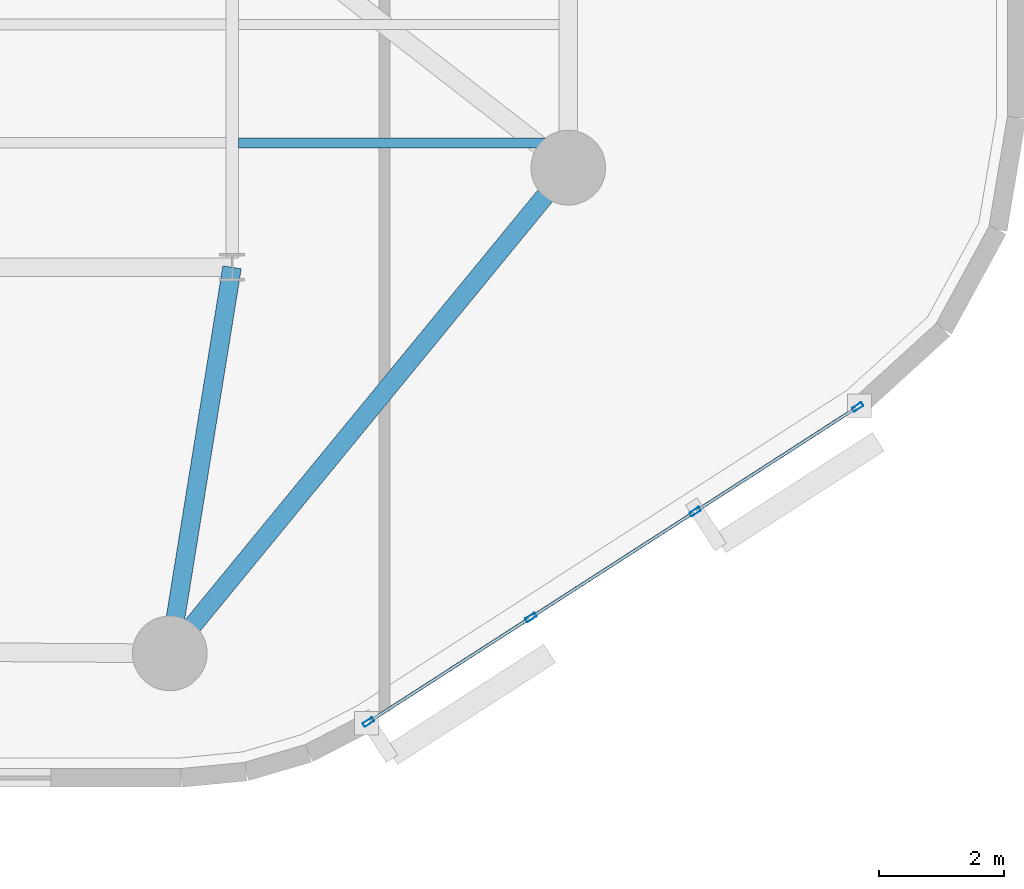
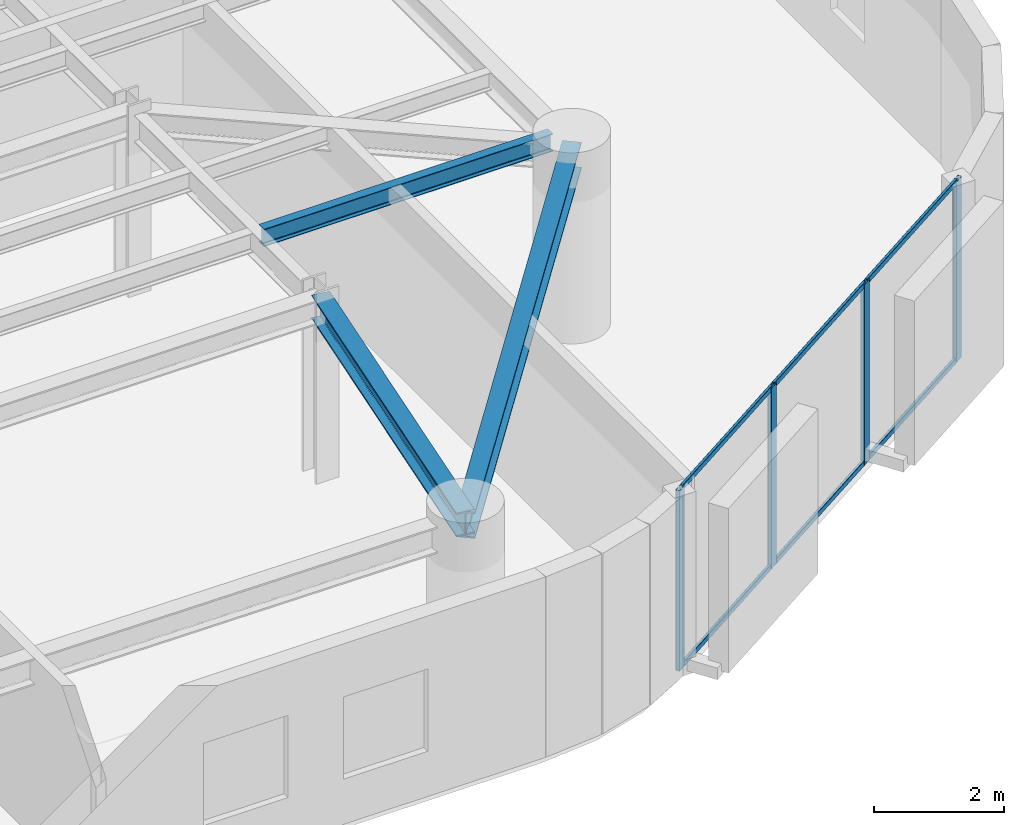
# One storey, part 2 of 12: 10 members, 3 beams, 1 element without a shape of its own.
"""IFC4 building model written with IfcOpenShell, lengths in metres."""

from ifc_helpers import new_model, si_unit, direction, frame, origin, origin_2d, place, context, subcontext, project, spatial, hollow_rectangle, i_section, extrude, material, layer, layer_set, material_profile, profile_set, type_object, element, aggregate, save


model = new_model("IFC4")

# Units and contexts
model_context = context("Model", 3, precision=1e-05, world=origin(), true_north=direction((0.0, 1.0)))
body_context = subcontext(model_context, "Body", "Model", "MODEL_VIEW")
ifc_project = project(units=[si_unit("LENGTHUNIT", "METRE"), si_unit("AREAUNIT", "SQUARE_METRE"), si_unit("VOLUMEUNIT", "CUBIC_METRE"), si_unit("PLANEANGLEUNIT", "RADIAN"), si_unit("MASSUNIT", "GRAM", prefix="KILO")], contexts=[model_context])

# Site, building, storey
site_placement = place(None, origin())
site = spatial("IfcSite", under=ifc_project, at=site_placement, CompositionType="ELEMENT")
building_placement = place(site_placement, origin())
building = spatial("IfcBuilding", under=site, at=building_placement, Name="An Khanh Terracotta Commons", CompositionType="ELEMENT")
storey_placement = place(building_placement, frame((0.0, 0.0, 161.800048828125)))
storey = spatial("IfcBuildingStorey", under=building, at=storey_placement, Name="L42", CompositionType="ELEMENT", Elevation=161.800048828125)

# Beams
ifc_material_1 = material(Name="Steel S355J2", Category="steel")
ifc_material_profile_1 = material_profile(ifc_material_1, i_section(OverallWidth=0.300048828125, OverallDepth=0.449951171875, WebThickness=0.013916015625, FlangeThickness=0.02587890625, FilletRadius=0.027099609375, at=origin_2d()), Name="HEB450")
ifc_profile_set_1 = profile_set([ifc_material_profile_1], Name="Steel S355J2")
beam_type_1 = type_object("IfcBeamType", Name="BM-HEB450", PredefinedType="BEAM", material=ifc_profile_set_1)
beam_1_placement = place(storey_placement, frame((49.39990234375, 8.199951171875, 3.175048828125), z_axis=(0.159233661074, 0.987240923575, 0.0), x_axis=(-0.987240923575, 0.159233661074, 0.0)))
element("IfcBeam", 1, at=beam_1_placement, inside=storey, type_object=beam_type_1, Name="L42 Mega-Column Tie Girder 2", PredefinedType="BEAM", context=body_context, shape_type="SweptSolid", body=[
    extrude(i_section(OverallWidth=0.300048828125, OverallDepth=0.449951171875, WebThickness=0.013916015625, FlangeThickness=0.02587890625, FilletRadius=0.027099609375, at=origin_2d()), origin(), (0.0, 0.0, 1.0), 6.280029296875),
])
ifc_material_profile_2 = material_profile(ifc_material_1, i_section(OverallWidth=0.300048828125, OverallDepth=0.5, WebThickness=0.014404296875, FlangeThickness=0.028076171875, FilletRadius=0.027099609375, at=origin_2d()), Name="HEB500")
ifc_profile_set_2 = profile_set([ifc_material_profile_2], Name="Steel S355J2")
beam_type_2 = type_object("IfcBeamType", Name="BM-HEB500", PredefinedType="BEAM", material=ifc_profile_set_2)
beam_2_placement = place(storey_placement, frame((49.39990234375, 8.199951171875, 3.14990234375), z_axis=(0.634322915223, 0.7730681983, 0.0), x_axis=(-0.7730681983, 0.634322915223, 0.0)))
element("IfcBeam", 2, at=beam_2_placement, inside=storey, type_object=beam_type_2, Name="L42 Perimeter Ring Spandrel 2", PredefinedType="BEAM", context=body_context, shape_type="SweptSolid", body=[
    extrude(i_section(OverallWidth=0.300048828125, OverallDepth=0.5, WebThickness=0.014404296875, FlangeThickness=0.028076171875, FilletRadius=0.027099609375, at=origin_2d()), origin(), (0.0, 0.0, 1.0), 10.08984375),
])
ifc_material_profile_3 = material_profile(ifc_material_1, i_section(OverallWidth=0.159912109375, OverallDepth=0.330078125, WebThickness=0.007568359375, FlangeThickness=0.011474609375, FilletRadius=0.01806640625, at=origin_2d()), Name="IPE330")
ifc_profile_set_3 = profile_set([ifc_material_profile_3], Name="Steel S355J2")
beam_type_3 = type_object("IfcBeamType", Name="BM-IPE330", PredefinedType="JOIST", material=ifc_profile_set_3)
beam_3_placement = place(storey_placement, frame((50.5, 16.39990234375, 3.23486328125), z_axis=(1.0, 0.0, 0.0), x_axis=(0.0, 1.0, 0.0)))
element("IfcBeam", 3, at=beam_3_placement, inside=storey, type_object=beam_type_3, Name="L42 Riverfront Composite Joist 1", PredefinedType="JOIST", context=body_context, shape_type="SweptSolid", body=[
    extrude(i_section(OverallWidth=0.159912109375, OverallDepth=0.330078125, WebThickness=0.007568359375, FlangeThickness=0.011474609375, FilletRadius=0.01806640625, at=origin_2d()), origin(), (0.0, 0.0, 1.0), 5.14990234375),
])

# Curtain wall, members
ifc_material_2 = material(Name="Anodised Aluminium 6063-T6", Category="aluminium")
ifc_layer = layer(ifc_material_2, 0.2099609375, Name="Anodised Aluminium 6063-T6")
ifc_layer_set = layer_set([ifc_layer], Name="Anodised Aluminium 6063-T6")
curtain_wall_type = type_object("IfcCurtainWallType", Name="CW-SYS-03", PredefinedType="USERDEFINED", material=ifc_layer_set)
curtain_wall_placement = place(storey_placement, origin())
curtain_wall = element("IfcCurtainWall", 4, at=curtain_wall_placement, inside=storey, type_object=curtain_wall_type, Name="L42 CW-03 Unitised Curtain Wall CW-L42-08", ObjectType="UNITISED CURTAIN WALL", PredefinedType="USERDEFINED")
ifc_material_profile_4 = material_profile(ifc_material_2, hollow_rectangle(XDim=0.070068359375, YDim=0.179931640625, WallThickness=0.00390625, InnerFilletRadius=0.00390625, OuterFilletRadius=0.008056640625, at=origin_2d()), Name="RHS180x70x4")
ifc_profile_set_4 = profile_set([ifc_material_profile_4], Name="Anodised Aluminium 6063-T6")
member_type_1 = type_object("IfcMemberType", Name="CWM-RHS180x70x4", PredefinedType="MULLION", material=ifc_profile_set_4)
member_1_placement = place(storey_placement, frame((52.58935546875, 7.094970703125, 0.0), z_axis=(0.0, 0.0, 1.0), x_axis=(-0.541497931062, 0.840702081986, 0.0)))
member_1 = element("IfcMember", 5, at=member_1_placement, type_object=member_type_1, Name="CW-03 mullion 1", PredefinedType="MULLION", context=body_context, shape_type="SweptSolid", body=[
    extrude(hollow_rectangle(XDim=0.070068359375, YDim=0.179931640625, WallThickness=0.00390625, InnerFilletRadius=0.00390625, OuterFilletRadius=0.008056640625, at=origin_2d()), origin(), (0.0, 0.0, 1.0), 3.39990234375),
])
member_2_placement = place(storey_placement, frame((55.19921875, 8.77587890625, 0.0), z_axis=(0.0, 0.0, 1.0), x_axis=(-0.541497931062, 0.840702081986, 0.0)))
member_2 = element("IfcMember", 6, at=member_2_placement, type_object=member_type_1, Name="CW-03 mullion 2", PredefinedType="MULLION", context=body_context, shape_type="SweptSolid", body=[
    extrude(hollow_rectangle(XDim=0.070068359375, YDim=0.179931640625, WallThickness=0.00390625, InnerFilletRadius=0.00390625, OuterFilletRadius=0.008056640625, at=origin_2d()), origin(), (0.0, 0.0, 1.0), 3.39990234375),
])
member_3_placement = place(storey_placement, frame((57.838623046875, 10.47607421875, 0.0), z_axis=(0.0, 0.0, 1.0), x_axis=(-0.541497931062, 0.840702081986, 0.0)))
member_3 = element("IfcMember", 7, at=member_3_placement, type_object=member_type_1, Name="CW-03 mullion 3", PredefinedType="MULLION", context=body_context, shape_type="SweptSolid", body=[
    extrude(hollow_rectangle(XDim=0.070068359375, YDim=0.179931640625, WallThickness=0.00390625, InnerFilletRadius=0.00390625, OuterFilletRadius=0.008056640625, at=origin_2d()), origin(), (0.0, 0.0, 1.0), 3.39990234375),
])
member_4_placement = place(storey_placement, frame((60.448486328125, 12.156982421875, 0.0), z_axis=(0.0, 0.0, 1.0), x_axis=(-0.541497931062, 0.840702081986, 0.0)))
member_4 = element("IfcMember", 8, at=member_4_placement, type_object=member_type_1, Name="CW-03 mullion 4", PredefinedType="MULLION", context=body_context, shape_type="SweptSolid", body=[
    extrude(hollow_rectangle(XDim=0.070068359375, YDim=0.179931640625, WallThickness=0.00390625, InnerFilletRadius=0.00390625, OuterFilletRadius=0.008056640625, at=origin_2d()), origin(), (0.0, 0.0, 1.0), 3.39990234375),
])
ifc_material_profile_5 = material_profile(ifc_material_2, hollow_rectangle(XDim=0.050048828125, YDim=0.10009765625, WallThickness=0.003173828125, InnerFilletRadius=0.003173828125, OuterFilletRadius=0.00634765625, at=origin_2d()), Name="RHS100x50x3.2")
ifc_profile_set_5 = profile_set([ifc_material_profile_5], Name="Anodised Aluminium 6063-T6")
member_type_2 = type_object("IfcMemberType", Name="CWT-RHS100x50x3.2", PredefinedType="USERDEFINED", material=ifc_profile_set_5)
member_5_placement = place(storey_placement, frame((52.618896484375, 7.114013671875, 0.02490234375), z_axis=(0.840710223453, 0.541485290826, 0.0), x_axis=(-0.541485290826, 0.840710223453, 0.0)))
member_5 = element("IfcMember", 9, at=member_5_placement, type_object=member_type_2, Name="CW-03 transom 1.1", ObjectType="TRANSOM", PredefinedType="USERDEFINED", context=body_context, shape_type="SweptSolid", body=[
    extrude(hollow_rectangle(XDim=0.050048828125, YDim=0.10009765625, WallThickness=0.003173828125, InnerFilletRadius=0.003173828125, OuterFilletRadius=0.00634765625, at=origin_2d()), origin(), (0.0, 0.0, 1.0), 3.034423828125),
])
member_6_placement = place(storey_placement, frame((52.618896484375, 7.114013671875, 3.375), z_axis=(0.840710223453, 0.541485290826, 0.0), x_axis=(-0.541485290826, 0.840710223453, 0.0)))
member_6 = element("IfcMember", 10, at=member_6_placement, type_object=member_type_2, Name="CW-03 transom 1.2", ObjectType="TRANSOM", PredefinedType="USERDEFINED", context=body_context, shape_type="SweptSolid", body=[
    extrude(hollow_rectangle(XDim=0.050048828125, YDim=0.10009765625, WallThickness=0.003173828125, InnerFilletRadius=0.003173828125, OuterFilletRadius=0.00634765625, at=origin_2d()), origin(), (0.0, 0.0, 1.0), 3.034423828125),
])
member_7_placement = place(storey_placement, frame((55.228759765625, 8.794921875, 0.02490234375), z_axis=(0.840707825526, 0.54148901383, 0.0), x_axis=(-0.54148901383, 0.840707825526, 0.0)))
member_7 = element("IfcMember", 11, at=member_7_placement, type_object=member_type_2, Name="CW-03 transom 2.1", ObjectType="TRANSOM", PredefinedType="USERDEFINED", context=body_context, shape_type="SweptSolid", body=[
    extrude(hollow_rectangle(XDim=0.050048828125, YDim=0.10009765625, WallThickness=0.003173828125, InnerFilletRadius=0.003173828125, OuterFilletRadius=0.00634765625, at=origin_2d()), origin(), (0.0, 0.0, 1.0), 3.069580078125),
])
member_8_placement = place(storey_placement, frame((55.228759765625, 8.794921875, 3.375), z_axis=(0.840707825526, 0.54148901383, 0.0), x_axis=(-0.54148901383, 0.840707825526, 0.0)))
member_8 = element("IfcMember", 12, at=member_8_placement, type_object=member_type_2, Name="CW-03 transom 2.2", ObjectType="TRANSOM", PredefinedType="USERDEFINED", context=body_context, shape_type="SweptSolid", body=[
    extrude(hollow_rectangle(XDim=0.050048828125, YDim=0.10009765625, WallThickness=0.003173828125, InnerFilletRadius=0.003173828125, OuterFilletRadius=0.00634765625, at=origin_2d()), origin(), (0.0, 0.0, 1.0), 3.069580078125),
])
member_9_placement = place(storey_placement, frame((57.8681640625, 10.494873046875, 0.02490234375), z_axis=(0.840673595852, 0.541542154626, 0.0), x_axis=(-0.541542154626, 0.840673595852, 0.0)))
member_9 = element("IfcMember", 13, at=member_9_placement, type_object=member_type_2, Name="CW-03 transom 3.1", ObjectType="TRANSOM", PredefinedType="USERDEFINED", context=body_context, shape_type="SweptSolid", body=[
    extrude(hollow_rectangle(XDim=0.050048828125, YDim=0.10009765625, WallThickness=0.003173828125, InnerFilletRadius=0.003173828125, OuterFilletRadius=0.00634765625, at=origin_2d()), origin(), (0.0, 0.0, 1.0), 3.034423828125),
])
member_10_placement = place(storey_placement, frame((57.8681640625, 10.494873046875, 3.375), z_axis=(0.840673595852, 0.541542154626, 0.0), x_axis=(-0.541542154626, 0.840673595852, 0.0)))
member_10 = element("IfcMember", 14, at=member_10_placement, type_object=member_type_2, Name="CW-03 transom 3.2", ObjectType="TRANSOM", PredefinedType="USERDEFINED", context=body_context, shape_type="SweptSolid", body=[
    extrude(hollow_rectangle(XDim=0.050048828125, YDim=0.10009765625, WallThickness=0.003173828125, InnerFilletRadius=0.003173828125, OuterFilletRadius=0.00634765625, at=origin_2d()), origin(), (0.0, 0.0, 1.0), 3.034423828125),
])
aggregate(curtain_wall, [member_1, member_2, member_3, member_4, member_5, member_6, member_7, member_8, member_9, member_10])

save(model, "model.ifc")
